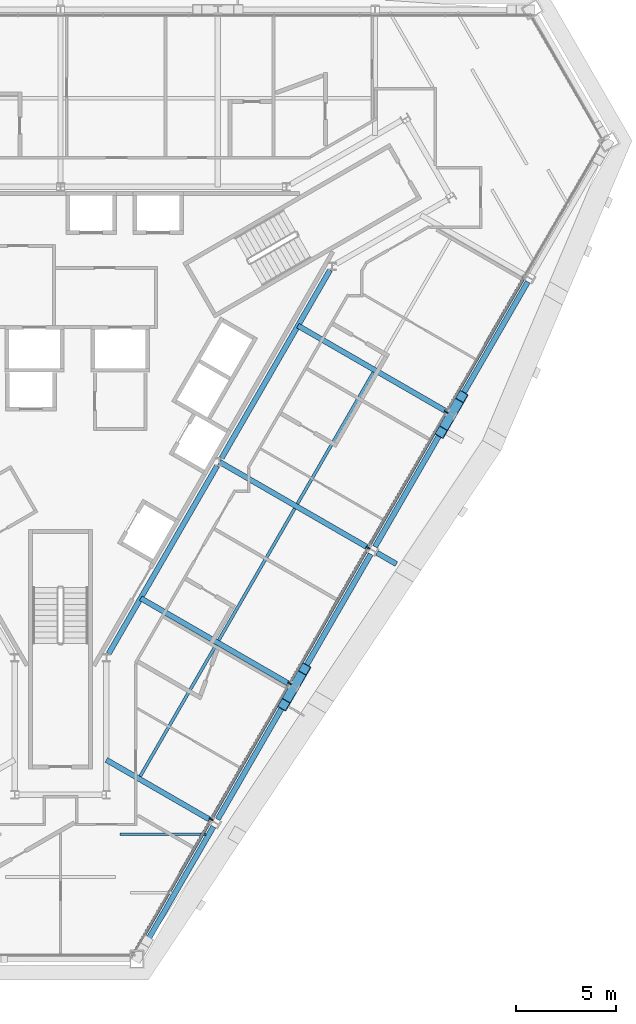
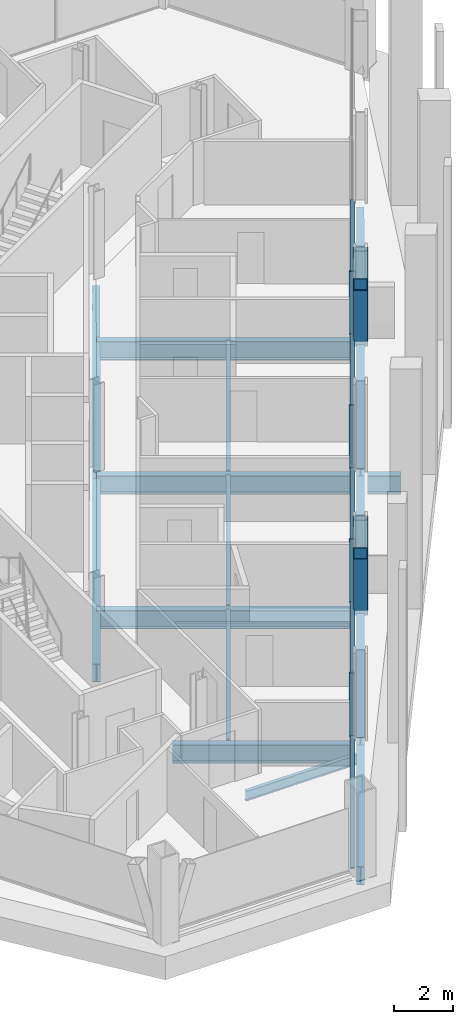
# One storey, part 5 of 17: 16 beams, 13 members, 1 element without a shape of its own.
"""IFC4 building model written with IfcOpenShell, lengths in metres."""

from ifc_helpers import new_model, si_unit, direction, frame, origin, origin_2d, place, context, subcontext, project, spatial, rectangle, hollow_rectangle, i_section, extrude, material, material_profile, profile_set, type_object, element, aggregate, save


model = new_model("IFC4")

# Units and contexts
model_context = context("Model", 3, precision=1e-05, world=origin(), true_north=direction((0.0, 1.0)))
body_context = subcontext(model_context, "Body", "Model", "MODEL_VIEW")
ifc_project = project(units=[si_unit("LENGTHUNIT", "METRE"), si_unit("AREAUNIT", "SQUARE_METRE"), si_unit("VOLUMEUNIT", "CUBIC_METRE"), si_unit("PLANEANGLEUNIT", "RADIAN"), si_unit("MASSUNIT", "GRAM", prefix="KILO")], contexts=[model_context])

# Site, building, storey
site_placement = place(None, origin())
site = spatial("IfcSite", under=ifc_project, at=site_placement, CompositionType="ELEMENT")
building_placement = place(site_placement, origin())
building = spatial("IfcBuilding", under=site, at=building_placement, Name="Verrane Prism Tower", CompositionType="ELEMENT")
storey_placement = place(building_placement, frame((0.0, 0.0, 92.800048828125)))
storey = spatial("IfcBuildingStorey", under=building, at=storey_placement, Name="L21", CompositionType="ELEMENT", Elevation=92.800048828125)

# Beams
ifc_material_1 = material(Name="Steel A992", Category="steel")
ifc_material_profile_1 = material_profile(ifc_material_1, i_section(OverallWidth=0.2666015625, OverallDepth=0.7568359375, WebThickness=0.013916015625, FlangeThickness=0.019287109375, FilletRadius=0.0166015625, at=origin_2d()), Name="W30x108")
ifc_profile_set_1 = profile_set([ifc_material_profile_1], Name="Steel A992")
beam_type_1 = type_object("IfcBeamType", Name="Core ring girder W30x108", PredefinedType="BEAM", material=ifc_profile_set_1)
beam_1_placement = place(storey_placement, frame((2.4150390625, -14.220703125, -0.628662109375), z_axis=(0.500034555306, 0.86600545235, 0.0), x_axis=(-0.86600545235, 0.500034555306, 0.0)))
element("IfcBeam", 1, at=beam_1_placement, inside=storey, type_object=beam_type_1, Name="Core ring girder L21", PredefinedType="BEAM", context=body_context, shape_type="SweptSolid", body=[
    extrude(i_section(OverallWidth=0.2666015625, OverallDepth=0.7568359375, WebThickness=0.013916015625, FlangeThickness=0.019287109375, FilletRadius=0.0166015625, at=origin_2d()), origin(), (0.0, 0.0, 1.0), 10.879150390625),
])
beam_2_placement = place(storey_placement, frame((8.0849609375, -4.400634765625, -0.628662109375), z_axis=(0.4993706109, 0.866388476937, 0.0), x_axis=(-0.866388476937, 0.4993706109, 0.0)))
element("IfcBeam", 2, at=beam_2_placement, inside=storey, type_object=beam_type_1, Name="Core ring girder L21", PredefinedType="BEAM", context=body_context, shape_type="SweptSolid", body=[
    extrude(i_section(OverallWidth=0.2666015625, OverallDepth=0.7568359375, WebThickness=0.013916015625, FlangeThickness=0.019287109375, FilletRadius=0.0166015625, at=origin_2d()), origin(), (0.0, 0.0, 1.0), 10.8740234375),
])

# Members
ifc_material_2 = material(Name="Steel A1085 Grade A", Category="steel")
ifc_material_profile_2 = material_profile(ifc_material_2, hollow_rectangle(XDim=0.508056640625, YDim=0.508056640625, WallThickness=0.025390625, InnerFilletRadius=0.0126953125, OuterFilletRadius=0.0380859375, at=origin_2d()), Name="HSS20x20x1")
ifc_profile_set_2 = profile_set([ifc_material_profile_2], Name="Steel A1085 Grade A")
member_type_1 = type_object("IfcMemberType", Name="Facade brace HSS20x20x1", PredefinedType="BRACE", material=ifc_profile_set_2)
member_1_placement = place(storey_placement, frame((11.666748046875, -15.972412109375, -0.19775390625), z_axis=(-0.149235712213, -0.258607090342, 0.954385181688), x_axis=(0.866128586522, -0.499821239653, 0.0)))
element("IfcMember", 3, at=member_1_placement, inside=storey, type_object=member_type_1, Name="Facade brace SE1 L21", PredefinedType="BRACE", context=body_context, shape_type="SweptSolid", body=[
    extrude(hollow_rectangle(XDim=0.508056640625, YDim=0.508056640625, WallThickness=0.025390625, InnerFilletRadius=0.0126953125, OuterFilletRadius=0.0380859375, at=origin_2d()), origin(), (0.0, 0.0, 1.0), 3.10498046875),
])
member_2_placement = place(storey_placement, frame((11.7734375, -15.78759765625, -0.19775390625), z_axis=(0.149524941277, 0.259035058626, 0.954223836602), x_axis=(-0.866067413802, 0.499927229454, 0.0)))
element("IfcMember", 4, at=member_2_placement, inside=storey, type_object=member_type_1, Name="Facade brace SE2 L21", PredefinedType="BRACE", context=body_context, shape_type="SweptSolid", body=[
    extrude(hollow_rectangle(XDim=0.508056640625, YDim=0.508056640625, WallThickness=0.025390625, InnerFilletRadius=0.0126953125, OuterFilletRadius=0.0380859375, at=origin_2d()), origin(), (0.0, 0.0, 1.0), 3.10546875),
])
for number, where, z_axis, x_axis, name in (
    (5, (19.556640625, -2.302490234375, -0.19775390625), (-0.149158834127, -0.258610124114, 0.954396377774), (0.866242581807, -0.499623647823, 0.0), "Facade brace SE3 L21"),
    (6, (19.663330078125, -2.11767578125, -0.19775390625), (0.149232677326, 0.258680457536, 0.954365773122), (-0.866194352207, 0.499707258507, 0.0), "Facade brace SE4 L21"),
):
    element("IfcMember", number, at=place(storey_placement, frame(where, z_axis=z_axis, x_axis=x_axis)), inside=storey, type_object=member_type_1, Name=name, PredefinedType="BRACE", context=body_context, shape_type="SweptSolid", body=[
        extrude(hollow_rectangle(XDim=0.508056640625, YDim=0.508056640625, WallThickness=0.025390625, InnerFilletRadius=0.0126953125, OuterFilletRadius=0.0380859375, at=origin_2d()), origin(), (0.0, 0.0, 1.0), 3.10498046875),
    ])

# Beams
ifc_material_3 = material(Name="Steel A992", Category="steel")
ifc_material_profile_3 = material_profile(ifc_material_3, i_section(OverallWidth=0.140380859375, OverallDepth=0.40380859375, WebThickness=0.007080078125, FlangeThickness=0.01123046875, FilletRadius=0.01025390625, at=origin_2d()), Name="W16x31")
ifc_profile_set_3 = profile_set([ifc_material_profile_3], Name="Steel A992")
beam_type_2 = type_object("IfcBeamType", Name="Floor beam W16x31", PredefinedType="BEAM", material=ifc_profile_set_3)
beam_3_placement = place(storey_placement, frame((2.972900390625, -23.280029296875, -0.362060546875), z_axis=(1.0, 0.0, 0.0), x_axis=(0.0, 1.0, 0.0)))
element("IfcBeam", 7, at=beam_3_placement, inside=storey, type_object=beam_type_2, Name="Floor beam L21", PredefinedType="BEAM", context=body_context, shape_type="SweptSolid", body=[
    extrude(i_section(OverallWidth=0.140380859375, OverallDepth=0.40380859375, WebThickness=0.007080078125, FlangeThickness=0.01123046875, FilletRadius=0.01025390625, at=origin_2d()), origin(), (0.0, 0.0, 1.0), 4.3232421875),
])
ifc_material_4 = material(Name="Steel A992", Category="steel")
ifc_material_profile_4 = material_profile(ifc_material_4, i_section(OverallWidth=0.15234375, OverallDepth=0.449462890625, WebThickness=0.007568359375, FlangeThickness=0.0107421875, FilletRadius=0.01025390625, at=origin_2d()), Name="W18x35")
ifc_profile_set_4 = profile_set([ifc_material_profile_4], Name="Steel A992")
beam_type_3 = type_object("IfcBeamType", Name="Floor beam W18x35", PredefinedType="BEAM", material=ifc_profile_set_4)
beam_4_placement = place(storey_placement, frame((3.99560546875, -20.37353515625, -0.384765625), z_axis=(0.499996178778, 0.866027609957, 0.0), x_axis=(-0.866027609957, 0.499996178778, 0.0)))
element("IfcBeam", 8, at=beam_4_placement, inside=storey, type_object=beam_type_3, Name="Floor beam L21", PredefinedType="BEAM", context=body_context, shape_type="SweptSolid", body=[
    extrude(i_section(OverallWidth=0.15234375, OverallDepth=0.449462890625, WebThickness=0.007568359375, FlangeThickness=0.0107421875, FilletRadius=0.01025390625, at=origin_2d()), origin(), (0.0, 0.0, 1.0), 7.61767578125),
])
beam_5_placement = place(storey_placement, frame((7.93701171875, -13.544677734375, -0.384765625), z_axis=(0.499999364504, 0.866025770688, 0.0), x_axis=(-0.866025770688, 0.499999364504, 0.0)))
element("IfcBeam", 9, at=beam_5_placement, inside=storey, type_object=beam_type_3, Name="Floor beam L21", PredefinedType="BEAM", context=body_context, shape_type="SweptSolid", body=[
    extrude(i_section(OverallWidth=0.15234375, OverallDepth=0.449462890625, WebThickness=0.007568359375, FlangeThickness=0.0107421875, FilletRadius=0.01025390625, at=origin_2d()), origin(), (0.0, 0.0, 1.0), 7.6318359375),
])
beam_6_placement = place(storey_placement, frame((11.88330078125, -6.702392578125, -0.384765625), z_axis=(0.500014495457, 0.866017034666, 0.0), x_axis=(-0.866017034666, 0.500014495457, 0.0)))
element("IfcBeam", 10, at=beam_6_placement, inside=storey, type_object=beam_type_3, Name="Floor beam L21", PredefinedType="BEAM", context=body_context, shape_type="SweptSolid", body=[
    extrude(i_section(OverallWidth=0.15234375, OverallDepth=0.449462890625, WebThickness=0.007568359375, FlangeThickness=0.0107421875, FilletRadius=0.01025390625, at=origin_2d()), origin(), (0.0, 0.0, 1.0), 7.622314453125),
])

# Curtain wall, members
ifc_material_5 = material(Name="Aluminium framed insulated glazing", Category="aluminium")
curtain_wall_type = type_object("IfcCurtainWallType", Name="Curtain wall CW-A 8400 module", PredefinedType="NOTDEFINED", material=ifc_material_5)
curtain_wall_placement = place(storey_placement, origin())
curtain_wall = element("IfcCurtainWall", 11, at=curtain_wall_placement, inside=storey, type_object=curtain_wall_type, Name="Glazed curtain wall south-east face L21", PredefinedType="NOTDEFINED")
ifc_material_6 = material(Name="Aluminium alloy 6063-T6", Category="aluminium")
ifc_material_profile_5 = material_profile(ifc_material_6, rectangle(XDim=0.199951171875, YDim=0.070068359375, at=origin_2d()), Name="Mullion 70x200 aluminium")
ifc_profile_set_5 = profile_set([ifc_material_profile_5], Name="Aluminium alloy 6063-T6")
member_type_2 = type_object("IfcMemberType", Name="Mullion 70x200 aluminium", PredefinedType="MULLION", material=ifc_profile_set_5)
member_3_placement = place(storey_placement, frame((7.5615234375, -22.525146484375, 0.0), z_axis=(0.0, 0.0, 1.0), x_axis=(-0.866025621383, 0.499999623108, 0.0)))
member_3 = element("IfcMember", 12, at=member_3_placement, type_object=member_type_2, Name="CW21.6 mullion 2", PredefinedType="MULLION", context=body_context, shape_type="SweptSolid", body=[
    extrude(rectangle(XDim=0.199951171875, YDim=0.070068359375, at=origin_2d()), origin(), (0.0, 0.0, 1.0), 2.61279296875),
])
member_4_placement = place(storey_placement, frame((11.4931640625, -15.71533203125, 0.0), z_axis=(0.0, 0.0, 1.0), x_axis=(-0.866025621383, 0.499999623108, 0.0)))
member_4 = element("IfcMember", 13, at=member_4_placement, type_object=member_type_2, Name="CW21.6 mullion 3", PredefinedType="MULLION", context=body_context, shape_type="SweptSolid", body=[
    extrude(rectangle(XDim=0.199951171875, YDim=0.070068359375, at=origin_2d()), origin(), (0.0, 0.0, 1.0), 2.61279296875),
])
member_5_placement = place(storey_placement, frame((15.4248046875, -8.905517578125, 0.0), z_axis=(0.0, 0.0, 1.0), x_axis=(-0.866025621383, 0.499999623108, 0.0)))
member_5 = element("IfcMember", 14, at=member_5_placement, type_object=member_type_2, Name="CW21.6 mullion 4", PredefinedType="MULLION", context=body_context, shape_type="SweptSolid", body=[
    extrude(rectangle(XDim=0.199951171875, YDim=0.070068359375, at=origin_2d()), origin(), (0.0, 0.0, 1.0), 2.61279296875),
])
member_6_placement = place(storey_placement, frame((19.3564453125, -2.095703125, 0.0), z_axis=(0.0, 0.0, 1.0), x_axis=(-0.866025621383, 0.499999623108, 0.0)))
member_6 = element("IfcMember", 15, at=member_6_placement, type_object=member_type_2, Name="CW21.6 mullion 5", PredefinedType="MULLION", context=body_context, shape_type="SweptSolid", body=[
    extrude(rectangle(XDim=0.199951171875, YDim=0.070068359375, at=origin_2d()), origin(), (0.0, 0.0, 1.0), 2.61279296875),
])

# Beams
ifc_material_7 = material(Name="Steel A992", Category="steel")
ifc_material_profile_6 = material_profile(ifc_material_7, i_section(OverallWidth=0.2666015625, OverallDepth=0.76708984375, WebThickness=0.014892578125, FlangeThickness=0.023681640625, FilletRadius=0.0166015625, at=origin_2d()), Name="W30x124")
ifc_profile_set_6 = profile_set([ifc_material_profile_6], Name="Steel A992")
beam_type_4 = type_object("IfcBeamType", Name="Radial girder W30x124", PredefinedType="BEAM", material=ifc_profile_set_6)
beam_7_placement = place(storey_placement, frame((7.57421875, -22.59130859375, -0.603515625), z_axis=(-0.866016687335, 0.50001509703, 0.0), x_axis=(-0.50001509703, -0.866016687335, 0.0)))
element("IfcBeam", 16, at=beam_7_placement, inside=storey, type_object=beam_type_4, Name="Radial girder L21", PredefinedType="BEAM", context=body_context, shape_type="SweptSolid", body=[
    extrude(i_section(OverallWidth=0.2666015625, OverallDepth=0.76708984375, WebThickness=0.014892578125, FlangeThickness=0.023681640625, FilletRadius=0.0166015625, at=origin_2d()), origin(), (0.0, 0.0, 1.0), 6.090087890625),
])
beam_8_placement = place(storey_placement, frame((11.514404296875, -15.76123046875, -0.603515625), z_axis=(-0.866025318361, 0.500000147958, 0.0), x_axis=(-0.500000147958, -0.866025318361, 0.0)))
element("IfcBeam", 17, at=beam_8_placement, inside=storey, type_object=beam_type_4, Name="Radial girder L21", PredefinedType="BEAM", context=body_context, shape_type="SweptSolid", body=[
    extrude(i_section(OverallWidth=0.2666015625, OverallDepth=0.76708984375, WebThickness=0.014892578125, FlangeThickness=0.023681640625, FilletRadius=0.0166015625, at=origin_2d()), origin(), (0.0, 0.0, 1.0), 8.650390625),
])
beam_9_placement = place(storey_placement, frame((15.46435546875, -8.92138671875, -0.603515625), z_axis=(-0.866014988611, 0.500018039176, 0.0), x_axis=(-0.500018039176, -0.866014988611, 0.0)))
element("IfcBeam", 18, at=beam_9_placement, inside=storey, type_object=beam_type_4, Name="Radial girder L21", PredefinedType="BEAM", context=body_context, shape_type="SweptSolid", body=[
    extrude(i_section(OverallWidth=0.2666015625, OverallDepth=0.76708984375, WebThickness=0.014892578125, FlangeThickness=0.023681640625, FilletRadius=0.0166015625, at=origin_2d()), origin(), (0.0, 0.0, 1.0), 8.651123046875),
])
beam_10_placement = place(storey_placement, frame((19.404296875, -2.09130859375, -0.603515625), z_axis=(-0.866024441312, 0.500001667048, 0.0), x_axis=(-0.500001667048, -0.866024441312, 0.0)))
element("IfcBeam", 19, at=beam_10_placement, inside=storey, type_object=beam_type_4, Name="Radial girder L21", PredefinedType="BEAM", context=body_context, shape_type="SweptSolid", body=[
    extrude(i_section(OverallWidth=0.2666015625, OverallDepth=0.76708984375, WebThickness=0.014892578125, FlangeThickness=0.023681640625, FilletRadius=0.0166015625, at=origin_2d()), origin(), (0.0, 0.0, 1.0), 8.65380859375),
])
beam_11_placement = place(storey_placement, frame((15.872314453125, -9.15673828125, -0.603515625), z_axis=(0.866023381821, -0.500003502126, 0.0), x_axis=(0.500003502126, 0.866023381821, 0.0)))
element("IfcBeam", 20, at=beam_11_placement, inside=storey, type_object=beam_type_4, Name="Cantilever girder L21", PredefinedType="BEAM", context=body_context, shape_type="SweptSolid", body=[
    extrude(i_section(OverallWidth=0.2666015625, OverallDepth=0.76708984375, WebThickness=0.014892578125, FlangeThickness=0.023681640625, FilletRadius=0.0166015625, at=origin_2d()), origin(), (0.0, 0.0, 1.0), 1.1279296875),
])
ifc_material_8 = material(Name="Steel A992", Category="steel")
ifc_material_profile_7 = material_profile(ifc_material_8, i_section(OverallWidth=0.2666015625, OverallDepth=0.7568359375, WebThickness=0.013916015625, FlangeThickness=0.019287109375, FilletRadius=0.0166015625, at=origin_2d()), Name="W30x108")
ifc_profile_set_7 = profile_set([ifc_material_profile_7], Name="Steel A992")
beam_type_5 = type_object("IfcBeamType", Name="Spandrel beam W30x108", PredefinedType="SPANDREL", material=ifc_profile_set_7)
beam_12_placement = place(storey_placement, frame((4.090087890625, -29.090087890625, -0.53857421875), z_axis=(0.50064633236, 0.865651921903, 0.0), x_axis=(-0.865651921903, 0.50064633236, 0.0)))
element("IfcBeam", 21, at=beam_12_placement, inside=storey, type_object=beam_type_5, Name="Spandrel beam L21", PredefinedType="SPANDREL", context=body_context, shape_type="SweptSolid", body=[
    extrude(i_section(OverallWidth=0.2666015625, OverallDepth=0.7568359375, WebThickness=0.013916015625, FlangeThickness=0.019287109375, FilletRadius=0.0166015625, at=origin_2d()), origin(), (0.0, 0.0, 1.0), 7.158203125),
])
beam_13_placement = place(storey_placement, frame((7.885986328125, -22.5263671875, -0.53857421875), z_axis=(0.499679960224, 0.866210100005, 0.0), x_axis=(-0.866210100005, 0.499679960224, 0.0)))
element("IfcBeam", 22, at=beam_13_placement, inside=storey, type_object=beam_type_5, Name="Spandrel beam L21", PredefinedType="SPANDREL", context=body_context, shape_type="SweptSolid", body=[
    extrude(i_section(OverallWidth=0.2666015625, OverallDepth=0.7568359375, WebThickness=0.013916015625, FlangeThickness=0.019287109375, FilletRadius=0.0166015625, at=origin_2d()), origin(), (0.0, 0.0, 1.0), 7.4609375),
])
beam_14_placement = place(storey_placement, frame((11.826171875, -15.6962890625, -0.53857421875), z_axis=(0.500080587159, 0.865978871767, 0.0), x_axis=(-0.865978871767, 0.500080587159, 0.0)))
element("IfcBeam", 23, at=beam_14_placement, inside=storey, type_object=beam_type_5, Name="Spandrel beam L21", PredefinedType="SPANDREL", context=body_context, shape_type="SweptSolid", body=[
    extrude(i_section(OverallWidth=0.2666015625, OverallDepth=0.7568359375, WebThickness=0.013916015625, FlangeThickness=0.019287109375, FilletRadius=0.0166015625, at=origin_2d()), origin(), (0.0, 0.0, 1.0), 7.474365234375),
])
beam_15_placement = place(storey_placement, frame((15.77587890625, -8.856201171875, -0.53857421875), z_axis=(0.499694123976, 0.866201929381, 0.0), x_axis=(-0.866201929381, 0.499694123976, 0.0)))
element("IfcBeam", 24, at=beam_15_placement, inside=storey, type_object=beam_type_5, Name="Spandrel beam L21", PredefinedType="SPANDREL", context=body_context, shape_type="SweptSolid", body=[
    extrude(i_section(OverallWidth=0.2666015625, OverallDepth=0.7568359375, WebThickness=0.013916015625, FlangeThickness=0.019287109375, FilletRadius=0.0166015625, at=origin_2d()), origin(), (0.0, 0.0, 1.0), 7.460693359375),
])
beam_16_placement = place(storey_placement, frame((19.716064453125, -2.0263671875, -0.53857421875), z_axis=(0.499679960224, 0.866210100005, 0.0), x_axis=(-0.866210100005, 0.499679960224, 0.0)))
element("IfcBeam", 25, at=beam_16_placement, inside=storey, type_object=beam_type_5, Name="Spandrel beam L21", PredefinedType="SPANDREL", context=body_context, shape_type="SweptSolid", body=[
    extrude(i_section(OverallWidth=0.2666015625, OverallDepth=0.7568359375, WebThickness=0.013916015625, FlangeThickness=0.019287109375, FilletRadius=0.0166015625, at=origin_2d()), origin(), (0.0, 0.0, 1.0), 7.4609375),
])

# Member
ifc_material_9 = material(Name="Aluminium alloy 6063-T6", Category="aluminium")
ifc_material_profile_8 = material_profile(ifc_material_9, rectangle(XDim=0.14990234375, YDim=0.070068359375, at=origin_2d()), Name="Transom 70x150 aluminium")
ifc_profile_set_8 = profile_set([ifc_material_profile_8], Name="Aluminium alloy 6063-T6")
member_type_3 = type_object("IfcMemberType", Name="Transom 70x150 aluminium", PredefinedType="USERDEFINED", material=ifc_profile_set_8)
member_7_placement = place(storey_placement, frame((3.664794921875, -29.274169921875, 0.034912109375), z_axis=(0.50000756646, 0.866021035243, 0.0), x_axis=(-0.866021035243, 0.50000756646, 0.0)))
member_7 = element("IfcMember", 26, at=member_7_placement, type_object=member_type_3, Name="CW21.6 transom 1", ObjectType="TRANSOM", PredefinedType="USERDEFINED", context=body_context, shape_type="SweptSolid", body=[
    extrude(rectangle(XDim=0.14990234375, YDim=0.070068359375, at=origin_2d()), origin(), (0.0, 0.0, 1.0), 7.75830078125),
])

member_8_placement = place(storey_placement, frame((7.5791015625, -22.49462890625, 0.034912109375), z_axis=(0.499993636311, 0.866029077831, 0.0), x_axis=(-0.866029077831, 0.499993636311, 0.0)))
member_8 = element("IfcMember", 27, at=member_8_placement, type_object=member_type_3, Name="CW21.6 transom 2", ObjectType="TRANSOM", PredefinedType="USERDEFINED", context=body_context, shape_type="SweptSolid", body=[
    extrude(rectangle(XDim=0.14990234375, YDim=0.070068359375, at=origin_2d()), origin(), (0.0, 0.0, 1.0), 7.79296875),
])

member_9_placement = place(storey_placement, frame((11.5107421875, -15.68505859375, 0.034912109375), z_axis=(0.499980071345, 0.866036909293, 0.0), x_axis=(-0.866036909293, 0.499980071345, 0.0)))
member_9 = element("IfcMember", 28, at=member_9_placement, type_object=member_type_3, Name="CW21.6 transom 3", ObjectType="TRANSOM", PredefinedType="USERDEFINED", context=body_context, shape_type="SweptSolid", body=[
    extrude(rectangle(XDim=0.14990234375, YDim=0.070068359375, at=origin_2d()), origin(), (0.0, 0.0, 1.0), 7.793212890625),
])

member_10_placement = place(storey_placement, frame((15.442138671875, -8.875244140625, 0.034912109375), z_axis=(0.500003566721, 0.866023344527, 0.0), x_axis=(-0.866023344527, 0.500003566721, 0.0)))
member_10 = element("IfcMember", 29, at=member_10_placement, type_object=member_type_3, Name="CW21.6 transom 4", ObjectType="TRANSOM", PredefinedType="USERDEFINED", context=body_context, shape_type="SweptSolid", body=[
    extrude(rectangle(XDim=0.14990234375, YDim=0.070068359375, at=origin_2d()), origin(), (0.0, 0.0, 1.0), 7.79345703125),
])

member_11_placement = place(storey_placement, frame((19.373779296875, -2.0654296875, 0.034912109375), z_axis=(0.500003566721, 0.866023344527, 0.0), x_axis=(-0.866023344527, 0.500003566721, 0.0)))
member_11 = element("IfcMember", 30, at=member_11_placement, type_object=member_type_3, Name="CW21.6 transom 5", ObjectType="TRANSOM", PredefinedType="USERDEFINED", context=body_context, shape_type="SweptSolid", body=[
    extrude(rectangle(XDim=0.14990234375, YDim=0.070068359375, at=origin_2d()), origin(), (0.0, 0.0, 1.0), 7.79345703125),
])

aggregate(curtain_wall, [member_3, member_4, member_5, member_6, member_7, member_8, member_9, member_10, member_11])

save(model, "model.ifc")
